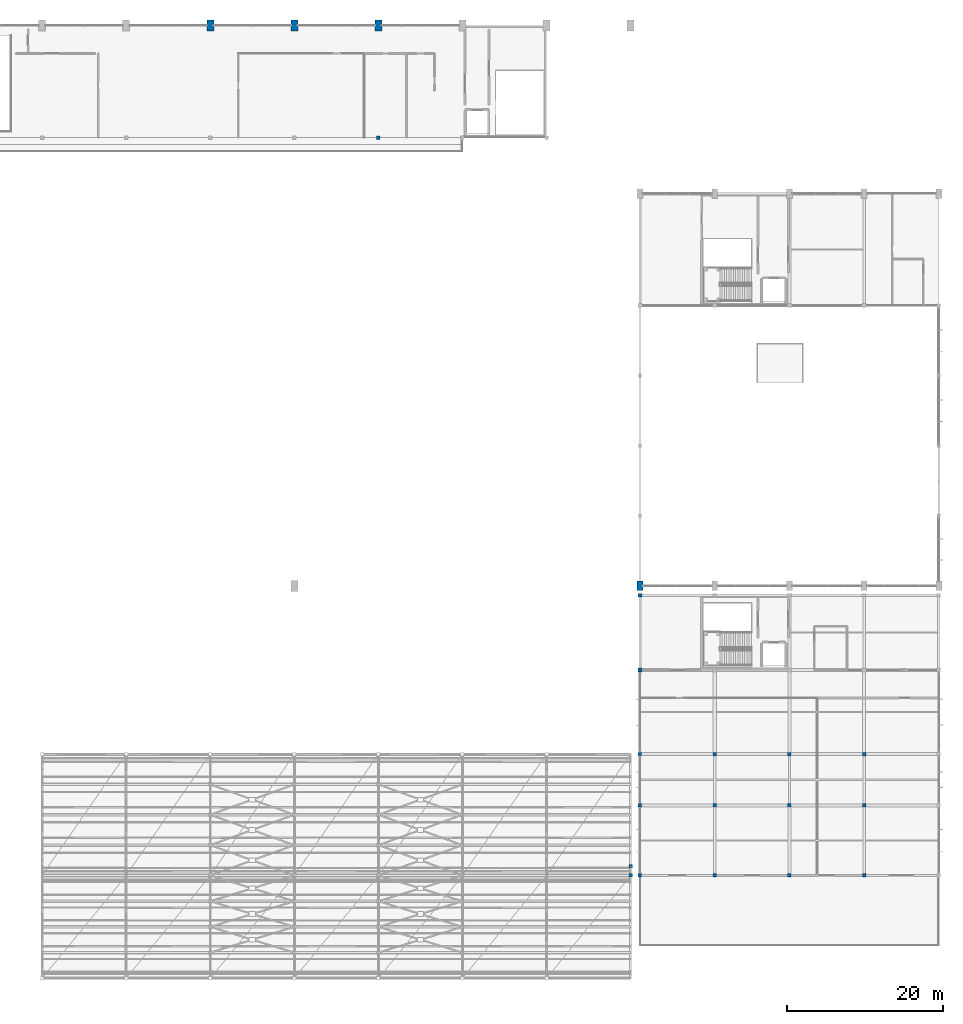
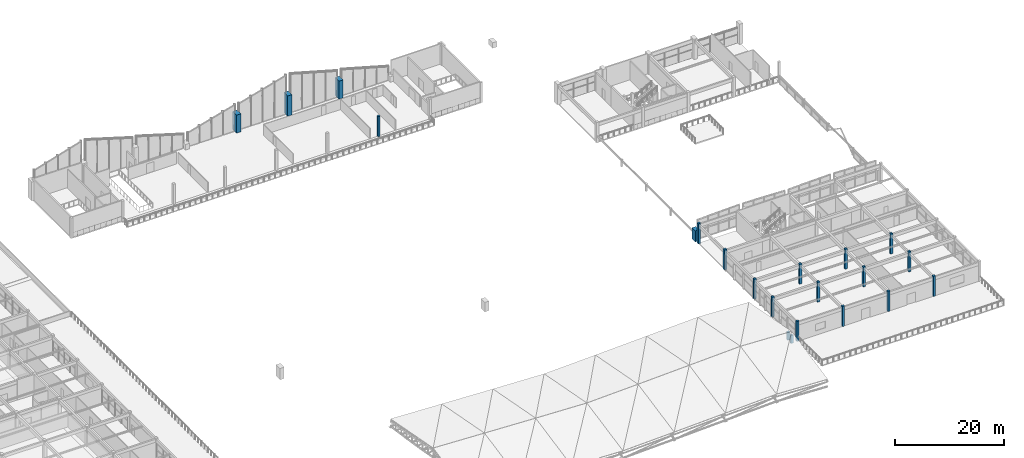
# One storey, part 2 of 89: 21 columns.
"""IFC4 building model written with IfcOpenShell, lengths in metres."""

from ifc_helpers import new_model, si_unit, direction, frame, origin, origin_2d, place, context, subcontext, project, spatial, rectangle, extrude, material, material_profile, profile_set, type_object, element, save


model = new_model("IFC4")

# Units and contexts
model_context = context("Model", 3, precision=1e-05, world=origin(), true_north=direction((0.0, 1.0)))
body_context = subcontext(model_context, "Body", "Model", "MODEL_VIEW")
ifc_project = project(units=[si_unit("LENGTHUNIT", "METRE"), si_unit("AREAUNIT", "SQUARE_METRE"), si_unit("VOLUMEUNIT", "CUBIC_METRE"), si_unit("PLANEANGLEUNIT", "RADIAN"), si_unit("MASSUNIT", "GRAM", prefix="KILO")], contexts=[model_context])

# Site, building, storey
site_placement = place(None, origin())
site = spatial("IfcSite", under=ifc_project, at=site_placement, CompositionType="ELEMENT")
building_placement = place(site_placement, origin())
building = spatial("IfcBuilding", under=site, at=building_placement, Name="Suirenkawa Promenade Aquatics Centre", CompositionType="ELEMENT")
storey_placement = place(building_placement, frame((0.0, 0.0, 9.60009765625)))
storey = spatial("IfcBuildingStorey", under=building, at=storey_placement, Name="L02", CompositionType="ELEMENT", Elevation=9.60009765625)

# Columns
ifc_material = material(Name="Concrete M40", Category="concrete")
ifc_material_profile_1 = material_profile(ifc_material, rectangle(XDim=0.75, YDim=1.199951171875, at=origin_2d()), Name="RC PIER 750x1200", Category="concrete")
ifc_profile_set_1 = profile_set([ifc_material_profile_1], Name="Concrete M40")
column_type_1 = type_object("IfcColumnType", Name="CT-PIER-750x1200", PredefinedType="COLUMN", material=ifc_profile_set_1)
column_1_placement = place(storey_placement, frame((156.0, 50.39990234375, 0.0), z_axis=(0.0, 0.0, 1.0), x_axis=(1.0, 0.0, 0.0)))
element("IfcColumn", 1, at=column_1_placement, inside=storey, type_object=column_type_1, Name="Column CL-08 COL-0083", PredefinedType="COLUMN", context=body_context, shape_type="SweptSolid", body=[
    extrude(rectangle(XDim=0.75, YDim=1.199951171875, at=origin_2d()), origin(), (0.0, 0.0, 1.0), 2.4599609375),
])
ifc_material_profile_2 = material_profile(ifc_material, rectangle(XDim=0.89990234375, YDim=1.39990234375, at=origin_2d()), Name="RC PIER 900x1400", Category="concrete")
ifc_profile_set_2 = profile_set([ifc_material_profile_2], Name="Concrete M40")
column_type_2 = type_object("IfcColumnType", Name="CT-PIER-900x1400", PredefinedType="COLUMN", material=ifc_profile_set_2)
column_2_placement = place(storey_placement, frame((111.60009765625, 122.39990234375, 0.0), z_axis=(0.0, 0.0, 1.0), x_axis=(1.0, 0.0, 0.0)))
element("IfcColumn", 2, at=column_2_placement, inside=storey, type_object=column_type_2, Name="Column CL-09 COL-0009", PredefinedType="COLUMN", context=body_context, shape_type="SweptSolid", body=[
    extrude(rectangle(XDim=0.89990234375, YDim=1.39990234375, at=origin_2d()), origin(), (0.0, 0.0, 1.0), 4.5),
])
for number, where, z_axis, x_axis, name in (
    (3, (100.800048828125, 122.39990234375, 0.0), (0.0, 0.0, 1.0), (1.0, 0.0, 0.0), "Column CL-09 COL-0059"),
    (4, (122.39990234375, 122.39990234375, 0.0), (0.0, 0.0, 1.0), (1.0, 0.0, 0.0), "Column CL-09 COL-0067"),
):
    element("IfcColumn", number, at=place(storey_placement, frame(where, z_axis=z_axis, x_axis=x_axis)), inside=storey, type_object=column_type_2, Name=name, PredefinedType="COLUMN", context=body_context, shape_type="SweptSolid", body=[
        extrude(rectangle(XDim=0.89990234375, YDim=1.39990234375, at=origin_2d()), origin(), (0.0, 0.0, 1.0), 4.02490234375),
    ])
ifc_material_profile_3 = material_profile(ifc_material, rectangle(XDim=0.449951171875, YDim=0.449951171875, at=origin_2d()), Name="RC COL 450x450", Category="concrete")
ifc_profile_set_3 = profile_set([ifc_material_profile_3], Name="Concrete M40")
column_type_3 = type_object("IfcColumnType", Name="CT-RC-450", PredefinedType="COLUMN", material=ifc_profile_set_3)
column_3_placement = place(storey_placement, frame((122.39990234375, 108.0, 0.0), z_axis=(0.0, 0.0, 1.0), x_axis=(1.0, 0.0, 0.0)))
element("IfcColumn", 5, at=column_3_placement, inside=storey, type_object=column_type_3, Name="Column CL-01 COL-0603", PredefinedType="COLUMN", context=body_context, shape_type="SweptSolid", body=[
    extrude(rectangle(XDim=0.449951171875, YDim=0.449951171875, at=origin_2d()), origin(), (0.0, 0.0, 1.0), 4.5),
])
for number, where, z_axis, x_axis, name in (
    (6, (154.800048828125, 13.199951171875, 0.0), (0.0, 0.0, 1.0), (1.0, 0.0, 0.0), "Column CL-01 COL-0643"),
    (7, (154.800048828125, 14.39990234375, 0.0), (0.0, 0.0, 1.0), (1.0, 0.0, 0.0), "Column CL-01 COL-0647"),
):
    element("IfcColumn", number, at=place(storey_placement, frame(where, z_axis=z_axis, x_axis=x_axis)), inside=storey, type_object=column_type_3, Name=name, PredefinedType="COLUMN", context=body_context, shape_type="SweptSolid", body=[
        extrude(rectangle(XDim=0.449951171875, YDim=0.449951171875, at=origin_2d()), origin(), (0.0, 0.0, 1.0), 1.7998046875),
    ])
for number, where, z_axis, x_axis, name in (
    (8, (156.0, 13.199951171875, 0.0), (0.0, 0.0, 1.0), (1.0, 0.0, 0.0), "Column CL-01 COL-0651"),
    (9, (156.0, 22.199951171875, 0.0), (0.0, 0.0, 1.0), (1.0, 0.0, 0.0), "Column CL-01 COL-0655"),
    (10, (156.0, 28.800048828125, 0.0), (0.0, 0.0, 1.0), (1.0, 0.0, 0.0), "Column CL-01 COL-0659"),
    (11, (165.60009765625, 13.199951171875, 0.0), (0.0, 0.0, 1.0), (1.0, 0.0, 0.0), "Column CL-01 COL-0663"),
    (12, (165.60009765625, 22.199951171875, 0.0), (0.0, 0.0, 1.0), (1.0, 0.0, 0.0), "Column CL-01 COL-0667"),
    (13, (165.60009765625, 28.800048828125, 0.0), (0.0, 0.0, 1.0), (1.0, 0.0, 0.0), "Column CL-01 COL-0671"),
    (14, (175.199951171875, 13.199951171875, 0.0), (0.0, 0.0, 1.0), (1.0, 0.0, 0.0), "Column CL-01 COL-0675"),
    (15, (175.199951171875, 22.199951171875, 0.0), (0.0, 0.0, 1.0), (1.0, 0.0, 0.0), "Column CL-01 COL-0679"),
    (16, (175.199951171875, 28.800048828125, 0.0), (0.0, 0.0, 1.0), (1.0, 0.0, 0.0), "Column CL-01 COL-0683"),
    (17, (184.800048828125, 13.199951171875, 0.0), (0.0, 0.0, 1.0), (1.0, 0.0, 0.0), "Column CL-01 COL-0687"),
    (18, (184.800048828125, 22.199951171875, 0.0), (0.0, 0.0, 1.0), (1.0, 0.0, 0.0), "Column CL-01 COL-0691"),
    (19, (184.800048828125, 28.800048828125, 0.0), (0.0, 0.0, 1.0), (1.0, 0.0, 0.0), "Column CL-01 COL-0695"),
):
    element("IfcColumn", number, at=place(storey_placement, frame(where, z_axis=z_axis, x_axis=x_axis)), inside=storey, type_object=column_type_3, Name=name, PredefinedType="COLUMN", context=body_context, shape_type="SweptSolid", body=[
        extrude(rectangle(XDim=0.449951171875, YDim=0.449951171875, at=origin_2d()), origin(), (0.0, 0.0, 1.0), 4.5),
    ])
ifc_material_profile_4 = material_profile(ifc_material, rectangle(XDim=0.5, YDim=0.5, at=origin_2d()), Name="RC COL 500x500", Category="concrete")
ifc_profile_set_4 = profile_set([ifc_material_profile_4], Name="Concrete M40")
column_type_4 = type_object("IfcColumnType", Name="CT-RC-500", PredefinedType="COLUMN", material=ifc_profile_set_4)
for number, where, z_axis, x_axis, name in (
    (20, (156.0, 39.60009765625, 0.0), (0.0, 0.0, 1.0), (1.0, 0.0, 0.0), "Column CL-02 COL-0455"),
    (21, (156.0, 49.199951171875, 0.0), (0.0, 0.0, 1.0), (1.0, 0.0, 0.0), "Column CL-02 COL-0460"),
):
    element("IfcColumn", number, at=place(storey_placement, frame(where, z_axis=z_axis, x_axis=x_axis)), inside=storey, type_object=column_type_4, Name=name, PredefinedType="COLUMN", context=body_context, shape_type="SweptSolid", body=[
        extrude(rectangle(XDim=0.5, YDim=0.5, at=origin_2d()), origin(), (0.0, 0.0, 1.0), 4.5),
    ])

save(model, "model.ifc")
